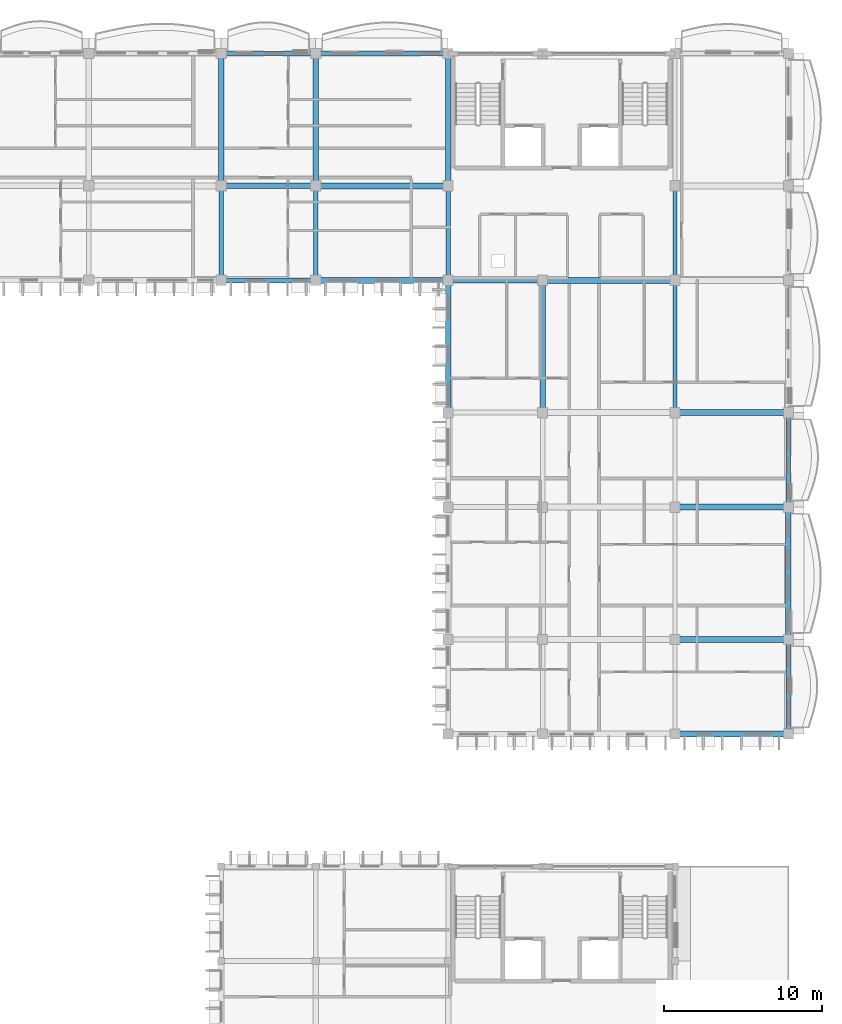
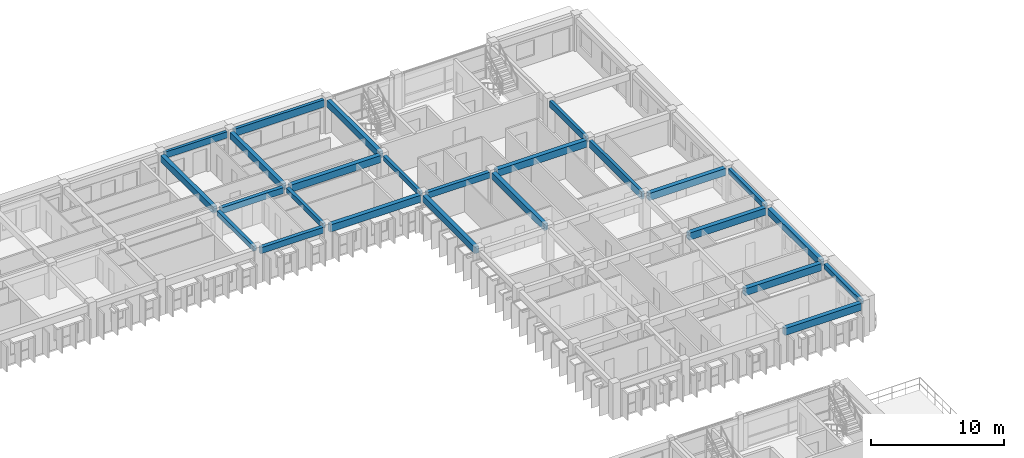
# One storey, part 8 of 66: 25 beams.
"""IFC4 building model written with IfcOpenShell, lengths in metres."""

import ifcopenshell
import ifcopenshell.guid

model = None  # the IFC model being written
_history = None  # IfcOwnerHistory: only IFC2X3 demands one
_inside = {}  # id of a spatial element -> (the spatial element, [elements in it])
_under = {}  # id of a project, library or spatial element -> (it, [spatial elements below it])
_declared = {}  # id of a project -> (the project, [libraries it declares])
_typed = {}  # id of a type object -> (the type object, [elements of that type])
_made_of = {}  # id of a material, layer set ... -> (it, [elements and type objects made of it])


def new_model(schema):
    """Start an empty IFC model of exactly this schema.

    Asked for "IFC4X3", IfcOpenShell would pick the latest addendum, in which some entities
    have other attributes; the version numbers below select the first issue.
    IFC2X3 requires an IfcOwnerHistory on every rooted entity: one is made here for all.
    """
    global model, _history
    if schema == "IFC4X3":
        model = ifcopenshell.file(schema_version=(4, 3, 0, 0))
    else:
        model = ifcopenshell.file(schema=schema)
    _inside.clear()
    _under.clear()
    _declared.clear()
    _typed.clear()
    _made_of.clear()
    _history = None
    if model.schema == "IFC2X3":
        org = make("IfcOrganization", Name="unknown")
        user = make(
            "IfcPersonAndOrganization",
            ThePerson=make("IfcPerson", FamilyName="unknown"),
            TheOrganization=org,
        )
        app = make(
            "IfcApplication",
            ApplicationDeveloper=org,
            Version="unknown",
            ApplicationFullName="unknown",
            ApplicationIdentifier="unknown",
        )
        _history = make(
            "IfcOwnerHistory",
            OwningUser=user,
            OwningApplication=app,
            ChangeAction="ADDED",
            CreationDate=0,
        )
    return model


def make(cls, **values):
    """One entity of the class cls with the attributes given. An attribute that is None is left unset."""
    return model.create_entity(
        cls, **{name: value for name, value in values.items() if value is not None}
    )


def rooted(cls, **values):
    """An entity with a GlobalId (a new one), such as an element, a storey or a relation."""
    return make(cls, GlobalId=ifcopenshell.guid.new(), OwnerHistory=_history, **values)


def si_unit(unit_type, name, prefix=None):
    """IfcSIUnit, for example si_unit("LENGTHUNIT", "METRE", prefix="MILLI")."""
    return make("IfcSIUnit", UnitType=unit_type, Prefix=prefix, Name=name)


def assignment(units):
    """IfcUnitAssignment: the units of a project."""
    return None if units is None else make("IfcUnitAssignment", Units=units)


def point(xyz):
    """IfcCartesianPoint."""
    return None if xyz is None else make("IfcCartesianPoint", Coordinates=xyz)


def direction(xyz):
    """IfcDirection."""
    return None if xyz is None else make("IfcDirection", DirectionRatios=xyz)


def frame(location, z_axis=None, x_axis=None):
    """IfcAxis2Placement3D, a coordinate frame: its origin and axes. An axis left out is left unset."""
    return make(
        "IfcAxis2Placement3D",
        Location=point(location),
        Axis=direction(z_axis),
        RefDirection=direction(x_axis),
    )


def frame_2d(location, x_axis=None):
    """IfcAxis2Placement2D, a coordinate frame in the plane: its origin and x axis."""
    return make(
        "IfcAxis2Placement2D", Location=point(location), RefDirection=direction(x_axis)
    )


def origin():
    """The frame at (0, 0, 0) with its axes left unset."""
    return frame((0.0, 0.0, 0.0))


def origin_2d():
    """The frame at (0, 0) in the plane with its x axis left unset."""
    return frame_2d((0.0, 0.0))


def place(relative_to, where):
    """IfcLocalPlacement: puts the frame where relative to a parent placement (None: the world)."""
    return make(
        "IfcLocalPlacement", PlacementRelTo=relative_to, RelativePlacement=where
    )


def context(
    kind, dimensions, precision=None, world=None, true_north=None, identifier=None
):
    """IfcGeometricRepresentationContext, for example the 3D "Model" context."""
    return make(
        "IfcGeometricRepresentationContext",
        ContextIdentifier=identifier,
        ContextType=kind,
        CoordinateSpaceDimension=dimensions,
        Precision=precision,
        WorldCoordinateSystem=world,
        TrueNorth=true_north,
    )


def subcontext(parent, identifier, kind, view, scale=None):
    """IfcGeometricRepresentationSubContext, for example "Body" below "Model"."""
    return make(
        "IfcGeometricRepresentationSubContext",
        ContextIdentifier=identifier,
        ContextType=kind,
        ParentContext=parent,
        TargetScale=scale,
        TargetView=view,
    )


def project(units=None, contexts=None):
    """IfcProject with its units and contexts."""
    return rooted(
        "IfcProject",
        Name="project",
        RepresentationContexts=contexts,
        UnitsInContext=assignment(units),
    )


def spatial(cls, under=None, at=None, **own):
    """A site, building, storey or space (cls), placed at a placement, below another one or the project."""
    s = rooted(cls, ObjectPlacement=at, **own)
    if under is not None:
        _under.setdefault(under.id(), (under, []))[1].append(s)
    return s


def profile(cls, at=None, kind="AREA", **sizes):
    """A parametric profile (cls). Its sizes go by their IFC names, for example OverallWidth=200.0."""
    return make(cls, ProfileType=kind, Position=at, **sizes)


def rectangle(**sizes):
    """IfcRectangleProfileDef."""
    return profile("IfcRectangleProfileDef", **sizes)


def extrude(swept, where, along, depth):
    """IfcExtrudedAreaSolid: the profile swept, set in the frame where, extruded along a direction by depth."""
    return make(
        "IfcExtrudedAreaSolid",
        SweptArea=swept,
        Position=where,
        ExtrudedDirection=direction(along),
        Depth=depth,
    )


def shape(context_of_items, identifier, shape_type, items):
    """IfcShapeRepresentation: the items that make up one representation, for example the "Body"."""
    return make(
        "IfcShapeRepresentation",
        ContextOfItems=context_of_items,
        RepresentationIdentifier=identifier,
        RepresentationType=shape_type,
        Items=items,
    )


def material(Name=None, Category=None):
    """IfcMaterial."""
    return make("IfcMaterial", Name=Name, Category=Category)


def material_profile(
    of_material, cross_section, Name=None, Category=None, Priority=None
):
    """IfcMaterialProfile: a cross section and its material."""
    return make(
        "IfcMaterialProfile",
        Name=Name,
        Material=of_material,
        Profile=cross_section,
        Priority=Priority,
        Category=Category,
    )


def profile_set(profiles, Name=None, composite=None):
    """IfcMaterialProfileSet."""
    return make(
        "IfcMaterialProfileSet",
        Name=Name,
        MaterialProfiles=profiles,
        CompositeProfile=composite,
    )


def made_of(thing, what):
    """Note that an element or type object is made of a material, layer set ...; save() writes the relation."""
    if what is not None:
        _made_of.setdefault(what.id(), (what, []))[1].append(thing)
    return thing


def type_object(cls, material=None, **own):
    """A type object (cls), such as IfcWallType, which elements share."""
    return made_of(rooted(cls, **own), material)


def element(
    cls,
    number,
    at=None,
    inside=None,
    cuts=None,
    type_object=None,
    material=None,
    context=None,
    identifier="Body",
    shape_type=None,
    held_by="IfcProductDefinitionShape",
    body=None,
    shapes=None,
    **own,
):
    """One element of the class cls, such as IfcWall. Its Tag is "e" and its number.

    at: its placement. inside: the storey or other place that contains it. cuts: it is an
    opening in that element (IfcRelVoidsElement). A single representation is given by context,
    identifier, shape_type and body (its items); several are given by shapes. held_by: the class
    of the entity that holds the representations. save() writes the other relations.
    """
    e = rooted(cls, Tag="e%d" % number, ObjectPlacement=at, **own)
    if body is not None:
        shapes = [shape(context, identifier, shape_type, body)]
    if shapes is not None:
        e.Representation = make(held_by, Representations=shapes)
    if inside is not None:
        _inside.setdefault(inside.id(), (inside, []))[1].append(e)
    if cuts is not None:
        rooted(
            "IfcRelVoidsElement", RelatingBuildingElement=cuts, RelatedOpeningElement=e
        )
    if type_object is not None:
        _typed.setdefault(type_object.id(), (type_object, []))[1].append(e)
    return made_of(e, material)


def aggregate(whole, parts):
    """IfcRelAggregates: a whole, such as a stair, and the parts it consists of."""
    return rooted("IfcRelAggregates", RelatingObject=whole, RelatedObjects=parts)


def save(model, path):
    """Write the relations noted so far, then the file.

    IfcRelAggregates (storeys below a building ...), IfcRelContainedInSpatialStructure (elements
    in a storey), IfcRelDefinesByType, IfcRelAssociatesMaterial and IfcRelDeclares: one each for
    every whole, place, type object, material and project.
    """
    for whole, parts in _under.values():
        aggregate(whole, parts)
    for where, things in _inside.values():
        rooted(
            "IfcRelContainedInSpatialStructure",
            RelatedElements=things,
            RelatingStructure=where,
        )
    for kind, things in _typed.values():
        rooted("IfcRelDefinesByType", RelatedObjects=things, RelatingType=kind)
    for what, things in _made_of.values():
        rooted("IfcRelAssociatesMaterial", RelatedObjects=things, RelatingMaterial=what)
    for by, libraries in _declared.values():
        rooted("IfcRelDeclares", RelatingContext=by, RelatedDefinitions=libraries)
    model.write(path)


model = new_model("IFC4")

# Units and contexts
model_context = context("Model", 3, precision=1e-05, world=origin(), true_north=direction((0.0, 1.0)))
body_context = subcontext(model_context, "Body", "Model", "MODEL_VIEW")
ifc_project = project(units=[si_unit("LENGTHUNIT", "METRE"), si_unit("AREAUNIT", "SQUARE_METRE"), si_unit("VOLUMEUNIT", "CUBIC_METRE"), si_unit("PLANEANGLEUNIT", "RADIAN"), si_unit("MASSUNIT", "GRAM", prefix="KILO"), si_unit("THERMODYNAMICTEMPERATUREUNIT", "KELVIN")], contexts=[model_context])

# Site, building, storey
site_placement = place(None, origin())
site = spatial("IfcSite", under=ifc_project, at=site_placement, CompositionType="ELEMENT")
building_placement = place(site_placement, origin())
building = spatial("IfcBuilding", under=site, at=building_placement, Name="Thalorik Housing Commons", CompositionType="ELEMENT")
storey_placement = place(building_placement, frame((0.0, 0.0, 21.300048828125)))
storey = spatial("IfcBuildingStorey", under=building, at=storey_placement, Name="L06", CompositionType="ELEMENT", Elevation=21.300048828125)

# Beams
ifc_material = material(Name="Precast concrete C40/50", Category="concrete")
ifc_material_profile_1 = material_profile(ifc_material, rectangle(XDim=0.280029296875, YDim=0.449951171875, at=origin_2d()), Name="PC 280x450", Category="concrete")
ifc_profile_set_1 = profile_set([ifc_material_profile_1], Name="Precast concrete C40/50")
beam_type_1 = type_object("IfcBeamType", Name="STR-BM-PC280x450", PredefinedType="BEAM", material=ifc_profile_set_1)
for number, where, z_axis, x_axis, name in (
    (1, (138.0, 109.47509765625, 2.81494140625), (0.0, 1.0, 0.0), (-1.0, 0.0, 0.0), "L06 Beam B-450"),
    (2, (144.0, 109.47509765625, 2.81494140625), (0.0, 1.0, 0.0), (-1.0, 0.0, 0.0), "L06 Beam B-450"),
    (3, (152.39990234375, 109.47509765625, 2.81494140625), (0.0, 1.0, 0.0), (-1.0, 0.0, 0.0), "L06 Beam B-450"),
    (4, (174.0, 80.675048828125, 2.81494140625), (0.0, 1.0, 0.0), (-1.0, 0.0, 0.0), "L06 Beam B-450"),
    (5, (174.0, 95.074951171875, 2.81494140625), (0.0, 1.0, 0.0), (-1.0, 0.0, 0.0), "L06 Beam B-450"),
):
    element("IfcBeam", number, at=place(storey_placement, frame(where, z_axis=z_axis, x_axis=x_axis)), inside=storey, type_object=beam_type_1, Name=name, PredefinedType="BEAM", context=body_context, shape_type="SweptSolid", body=[
        extrude(rectangle(XDim=0.280029296875, YDim=0.449951171875, at=origin_2d()), origin(), (0.0, 0.0, 1.0), 5.449951171875),
    ])
ifc_material_profile_2 = material_profile(ifc_material, rectangle(XDim=0.320068359375, YDim=0.550048828125, at=origin_2d()), Name="PC 320x550", Category="concrete")
ifc_profile_set_2 = profile_set([ifc_material_profile_2], Name="Precast concrete C40/50")
beam_type_2 = type_object("IfcBeamType", Name="STR-BM-PC320x550", PredefinedType="BEAM", material=ifc_profile_set_2)
beam_1_placement = place(storey_placement, frame((138.27490234375, 109.199951171875, 2.764892578125), z_axis=(1.0, 0.0, 0.0), x_axis=(0.0, 1.0, 0.0)))
element("IfcBeam", 6, at=beam_1_placement, inside=storey, type_object=beam_type_2, Name="L06 Beam B-550", PredefinedType="BEAM", context=body_context, shape_type="SweptSolid", body=[
    extrude(rectangle(XDim=0.320068359375, YDim=0.550048828125, at=origin_2d()), origin(), (0.0, 0.0, 1.0), 5.4501953125),
])
beam_2_placement = place(storey_placement, frame((152.675048828125, 109.199951171875, 2.764892578125), z_axis=(1.0, 0.0, 0.0), x_axis=(0.0, 1.0, 0.0)))
element("IfcBeam", 7, at=beam_2_placement, inside=storey, type_object=beam_type_2, Name="L06 Beam B-550", PredefinedType="BEAM", context=body_context, shape_type="SweptSolid", body=[
    extrude(rectangle(XDim=0.320068359375, YDim=0.550048828125, at=origin_2d()), origin(), (0.0, 0.0, 1.0), 5.449951171875),
])
beam_3_placement = place(storey_placement, frame((138.27490234375, 115.199951171875, 2.764892578125), z_axis=(1.0, 0.0, 0.0), x_axis=(0.0, 1.0, 0.0)))
element("IfcBeam", 8, at=beam_3_placement, inside=storey, type_object=beam_type_2, Name="L06 Beam B-550", PredefinedType="BEAM", context=body_context, shape_type="SweptSolid", body=[
    extrude(rectangle(XDim=0.320068359375, YDim=0.550048828125, at=origin_2d()), origin(), (0.0, 0.0, 1.0), 5.4501953125),
])
ifc_material_profile_3 = material_profile(ifc_material, rectangle(XDim=0.35009765625, YDim=0.60009765625, at=origin_2d()), Name="PC 350x600", Category="concrete")
ifc_profile_set_3 = profile_set([ifc_material_profile_3], Name="Precast concrete C40/50")
beam_type_3 = type_object("IfcBeamType", Name="STR-BM-PC350x600", PredefinedType="BEAM", material=ifc_profile_set_3)
for number, where, z_axis, x_axis, name in (
    (9, (138.0, 115.47509765625, 2.739990234375), (0.0, 1.0, 0.0), (-1.0, 0.0, 0.0), "L06 Beam B-600"),
    (10, (144.0, 115.47509765625, 2.739990234375), (0.0, 1.0, 0.0), (-1.0, 0.0, 0.0), "L06 Beam B-600"),
):
    element("IfcBeam", number, at=place(storey_placement, frame(where, z_axis=z_axis, x_axis=x_axis)), inside=storey, type_object=beam_type_3, Name=name, PredefinedType="BEAM", context=body_context, shape_type="SweptSolid", body=[
        extrude(rectangle(XDim=0.35009765625, YDim=0.60009765625, at=origin_2d()), origin(), (0.0, 0.0, 1.0), 7.849853515625),
    ])
beam_4_placement = place(storey_placement, frame((152.39990234375, 101.074951171875, 2.739990234375), z_axis=(0.0, 1.0, 0.0), x_axis=(-1.0, 0.0, 0.0)))
element("IfcBeam", 11, at=beam_4_placement, inside=storey, type_object=beam_type_3, Name="L06 Beam B-600", PredefinedType="BEAM", context=body_context, shape_type="SweptSolid", body=[
    extrude(rectangle(XDim=0.35009765625, YDim=0.60009765625, at=origin_2d()), origin(), (0.0, 0.0, 1.0), 7.85009765625),
])
beam_5_placement = place(storey_placement, frame((152.39990234375, 115.47509765625, 2.739990234375), z_axis=(0.0, 1.0, 0.0), x_axis=(-1.0, 0.0, 0.0)))
element("IfcBeam", 12, at=beam_5_placement, inside=storey, type_object=beam_type_3, Name="L06 Beam B-600", PredefinedType="BEAM", context=body_context, shape_type="SweptSolid", body=[
    extrude(rectangle(XDim=0.35009765625, YDim=0.60009765625, at=origin_2d()), origin(), (0.0, 0.0, 1.0), 7.849853515625),
])
beam_6_placement = place(storey_placement, frame((158.39990234375, 101.074951171875, 2.739990234375), z_axis=(0.0, 1.0, 0.0), x_axis=(-1.0, 0.0, 0.0)))
element("IfcBeam", 13, at=beam_6_placement, inside=storey, type_object=beam_type_3, Name="L06 Beam B-600", PredefinedType="BEAM", context=body_context, shape_type="SweptSolid", body=[
    extrude(rectangle(XDim=0.35009765625, YDim=0.60009765625, at=origin_2d()), origin(), (0.0, 0.0, 1.0), 7.85009765625),
])
beam_7_placement = place(storey_placement, frame((174.0, 86.675048828125, 2.739990234375), z_axis=(0.0, 1.0, 0.0), x_axis=(-1.0, 0.0, 0.0)))
element("IfcBeam", 14, at=beam_7_placement, inside=storey, type_object=beam_type_3, Name="L06 Beam B-600", PredefinedType="BEAM", context=body_context, shape_type="SweptSolid", body=[
    extrude(rectangle(XDim=0.35009765625, YDim=0.60009765625, at=origin_2d()), origin(), (0.0, 0.0, 1.0), 7.849853515625),
])
ifc_material_profile_4 = material_profile(ifc_material, rectangle(XDim=0.3798828125, YDim=0.64990234375, at=origin_2d()), Name="PC 380x650", Category="concrete")
ifc_profile_set_4 = profile_set([ifc_material_profile_4], Name="Precast concrete C40/50")
beam_type_4 = type_object("IfcBeamType", Name="STR-BM-PC380x650", PredefinedType="BEAM", material=ifc_profile_set_4)
for number, where, z_axis, x_axis, name in (
    (15, (167.074951171875, 80.39990234375, 2.71484375), (1.0, 0.0, 0.0), (0.0, 1.0, 0.0), "L06 Beam B-650"),
    (16, (167.074951171875, 86.39990234375, 2.71484375), (1.0, 0.0, 0.0), (0.0, 1.0, 0.0), "L06 Beam B-650"),
    (17, (167.074951171875, 94.800048828125, 2.71484375), (1.0, 0.0, 0.0), (0.0, 1.0, 0.0), "L06 Beam B-650"),
    (18, (167.074951171875, 100.800048828125, 2.71484375), (1.0, 0.0, 0.0), (0.0, 1.0, 0.0), "L06 Beam B-650"),
):
    element("IfcBeam", number, at=place(storey_placement, frame(where, z_axis=z_axis, x_axis=x_axis)), inside=storey, type_object=beam_type_4, Name=name, PredefinedType="BEAM", context=body_context, shape_type="SweptSolid", body=[
        extrude(rectangle(XDim=0.3798828125, YDim=0.64990234375, at=origin_2d()), origin(), (0.0, 0.0, 1.0), 6.650146484375),
    ])
beam_8_placement = place(storey_placement, frame((144.27490234375, 109.199951171875, 2.71484375), z_axis=(1.0, 0.0, 0.0), x_axis=(0.0, 1.0, 0.0)))
element("IfcBeam", 19, at=beam_8_placement, inside=storey, type_object=beam_type_4, Name="L06 Beam B-650", PredefinedType="BEAM", context=body_context, shape_type="SweptSolid", body=[
    extrude(rectangle(XDim=0.3798828125, YDim=0.64990234375, at=origin_2d()), origin(), (0.0, 0.0, 1.0), 7.85009765625),
])
beam_9_placement = place(storey_placement, frame((158.675048828125, 109.199951171875, 2.71484375), z_axis=(1.0, 0.0, 0.0), x_axis=(0.0, 1.0, 0.0)))
element("IfcBeam", 20, at=beam_9_placement, inside=storey, type_object=beam_type_4, Name="L06 Beam B-650", PredefinedType="BEAM", context=body_context, shape_type="SweptSolid", body=[
    extrude(rectangle(XDim=0.3798828125, YDim=0.64990234375, at=origin_2d()), origin(), (0.0, 0.0, 1.0), 7.849853515625),
])
beam_10_placement = place(storey_placement, frame((144.27490234375, 115.199951171875, 2.71484375), z_axis=(1.0, 0.0, 0.0), x_axis=(0.0, 1.0, 0.0)))
element("IfcBeam", 21, at=beam_10_placement, inside=storey, type_object=beam_type_4, Name="L06 Beam B-650", PredefinedType="BEAM", context=body_context, shape_type="SweptSolid", body=[
    extrude(rectangle(XDim=0.3798828125, YDim=0.64990234375, at=origin_2d()), origin(), (0.0, 0.0, 1.0), 7.85009765625),
])
ifc_material_profile_5 = material_profile(ifc_material, rectangle(XDim=0.239990234375, YDim=0.580078125, at=origin_2d()), Name="PC SP 240x580", Category="concrete")
ifc_profile_set_5 = profile_set([ifc_material_profile_5], Name="Precast concrete C40/50")
beam_type_5 = type_object("IfcBeamType", Name="STR-SP-PC240x580", PredefinedType="SPANDREL", material=ifc_profile_set_5)
beam_11_placement = place(storey_placement, frame((138.27490234375, 123.60009765625, 2.75), z_axis=(1.0, 0.0, 0.0), x_axis=(0.0, 1.0, 0.0)))
element("IfcBeam", 22, at=beam_11_placement, inside=storey, type_object=beam_type_5, Name="L06 Beam B-550", PredefinedType="SPANDREL", context=body_context, shape_type="SweptSolid", body=[
    extrude(rectangle(XDim=0.239990234375, YDim=0.580078125, at=origin_2d()), origin(), (0.0, 0.0, 1.0), 5.4501953125),
])
beam_12_placement = place(storey_placement, frame((166.800048828125, 109.47509765625, 2.75), z_axis=(0.0, 1.0, 0.0), x_axis=(-1.0, 0.0, 0.0)))
element("IfcBeam", 23, at=beam_12_placement, inside=storey, type_object=beam_type_5, Name="L06 Beam B-450", PredefinedType="SPANDREL", context=body_context, shape_type="SweptSolid", body=[
    extrude(rectangle(XDim=0.239990234375, YDim=0.580078125, at=origin_2d()), origin(), (0.0, 0.0, 1.0), 5.449951171875),
])
ifc_material_profile_6 = material_profile(ifc_material, rectangle(XDim=0.260009765625, YDim=0.679931640625, at=origin_2d()), Name="PC SP 260x680", Category="concrete")
ifc_profile_set_6 = profile_set([ifc_material_profile_6], Name="Precast concrete C40/50")
beam_type_6 = type_object("IfcBeamType", Name="STR-SP-PC260x680", PredefinedType="SPANDREL", material=ifc_profile_set_6)
for number, where, z_axis, x_axis, name in (
    (24, (144.27490234375, 123.60009765625, 2.699951171875), (1.0, 0.0, 0.0), (0.0, 1.0, 0.0), "L06 Beam B-650"),
    (25, (166.800048828125, 101.074951171875, 2.699951171875), (0.0, 1.0, 0.0), (-1.0, 0.0, 0.0), "L06 Beam B-600"),
):
    element("IfcBeam", number, at=place(storey_placement, frame(where, z_axis=z_axis, x_axis=x_axis)), inside=storey, type_object=beam_type_6, Name=name, PredefinedType="SPANDREL", context=body_context, shape_type="SweptSolid", body=[
        extrude(rectangle(XDim=0.260009765625, YDim=0.679931640625, at=origin_2d()), origin(), (0.0, 0.0, 1.0), 7.85009765625),
    ])

save(model, "model.ifc")
